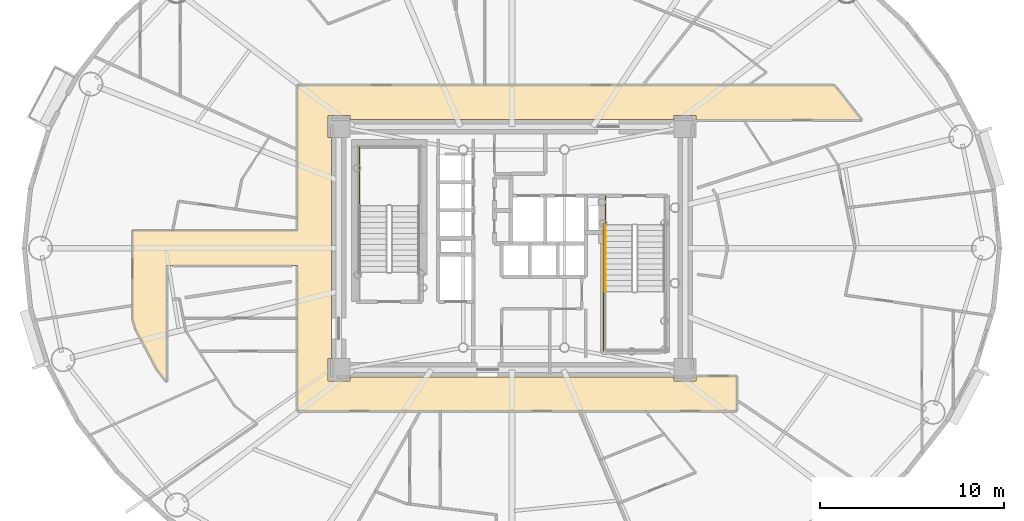
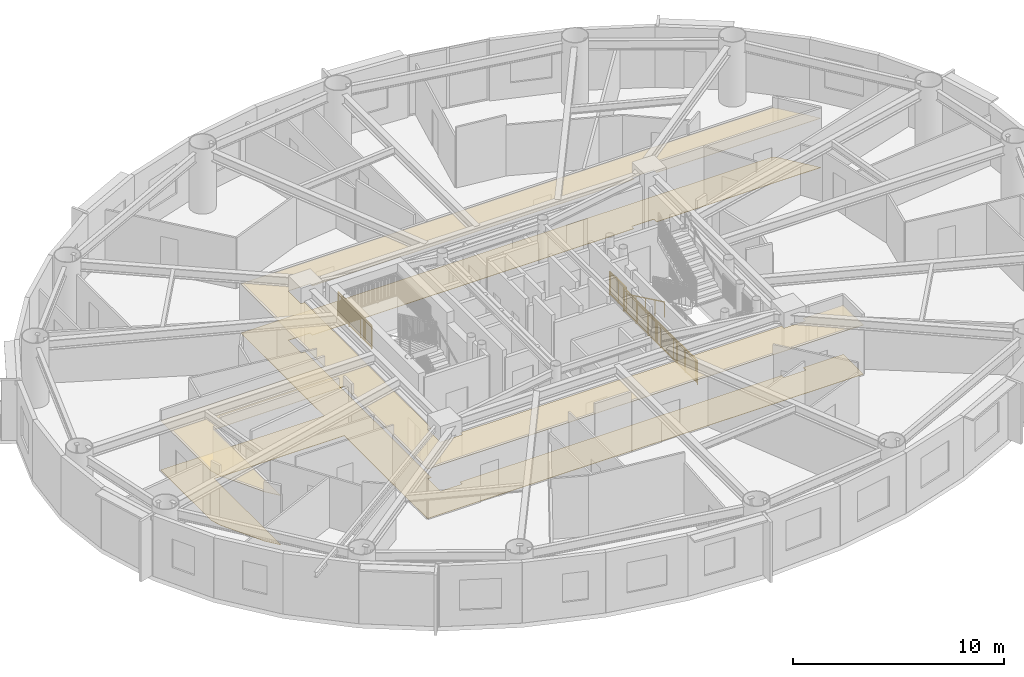
# One storey, part 16 of 20: 4 railings, 2 coverings.
"""IFC4 building model written with IfcOpenShell, lengths in metres."""

from ifc_helpers import new_model, si_unit, direction, frame, origin, origin_2d, place, context, subcontext, project, spatial, polyline, rectangle, outline, extrude, source, transform, mapped, material, layer, layer_set, type_object, element, save


model = new_model("IFC4")

# Units and contexts
model_context = context("Model", 3, precision=1e-05, world=origin(), true_north=direction((0.0, 1.0)))
body_context = subcontext(model_context, "Body", "Model", "MODEL_VIEW")
ifc_project = project(units=[si_unit("LENGTHUNIT", "METRE"), si_unit("AREAUNIT", "SQUARE_METRE"), si_unit("VOLUMEUNIT", "CUBIC_METRE"), si_unit("PLANEANGLEUNIT", "RADIAN"), si_unit("MASSUNIT", "GRAM", prefix="KILO")], contexts=[model_context])

# Site, building, storey
site_placement = place(None, origin())
site = spatial("IfcSite", under=ifc_project, at=site_placement, CompositionType="ELEMENT")
building_placement = place(site_placement, origin())
building = spatial("IfcBuilding", under=site, at=building_placement, Name="Linh Dai School and Residence Tower", CompositionType="ELEMENT")
storey_placement = place(building_placement, frame((0.0, 0.0, 163.64990234375)))
storey = spatial("IfcBuildingStorey", under=building, at=storey_placement, Name="L39", CompositionType="ELEMENT", Elevation=163.64990234375)

# Coverings
ifc_material_1 = material(Name="Mineral Fibre Acoustic Suspended Ceiling", Category="masonry")
ifc_layer_1 = layer(ifc_material_1, 0.02001953125)
ifc_layer_set_1 = layer_set([ifc_layer_1], Name="Mineral Fibre Acoustic Suspended Ceiling")
covering_type_1 = type_object("IfcCoveringType", Name="COV-CEIL-AC-20", PredefinedType="CEILING", material=ifc_layer_set_1)
covering_1_placement = place(storey_placement, frame((0.0, 0.0, 2.85009765625)))
element("IfcCovering", 1, at=covering_1_placement, inside=storey, type_object=covering_type_1, Name="L39 Residential Floor Corridor Suspended Ceiling", PredefinedType="CEILING", context=body_context, shape_type="SweptSolid", body=[
    extrude(outline(polyline([(17.25, 19.734375), (16.720458984375, 20.410888671875), (15.57421875, 22.577880859375), (15.39990234375, 23.14599609375), (15.39990234375, 27.949951171875), (24.35009765625, 27.949951171875), (24.35009765625, 35.85009765625), (53.453857421875, 35.85009765625), (53.6533203125, 35.6669921875), (54.9970703125, 33.949951171875), (46.0, 33.949951171875), (46.0, 34.199951171875), (44.800048828125, 34.199951171875), (44.800048828125, 34.0), (27.199951171875, 34.0), (27.199951171875, 34.199951171875), (26.0, 34.199951171875), (26.0, 33.0), (26.199951171875, 33.0), (26.199951171875, 21.0), (26.0, 21.0), (26.0, 19.800048828125), (27.199951171875, 19.800048828125), (27.199951171875, 20.0), (44.800048828125, 20.0), (44.800048828125, 19.800048828125), (46.0, 19.800048828125), (46.0, 20.050048828125), (48.199951171875, 20.050048828125), (48.199951171875, 18.14990234375), (24.35009765625, 18.14990234375), (24.35009765625, 26.050048828125), (17.25, 26.050048828125), (17.25, 19.734375)])), origin(), (0.0, 0.0, 1.0), 0.02001953125),
])
ifc_material_2 = material(Name="Polished Terrazzo Floor Finish", Category="masonry")
ifc_layer_2 = layer(ifc_material_2, 0.02490234375)
ifc_layer_set_2 = layer_set([ifc_layer_2], Name="Polished Terrazzo Floor Finish")
covering_type_2 = type_object("IfcCoveringType", Name="COV-FLR-TRZ-25", PredefinedType="FLOORING", material=ifc_layer_set_2)
covering_2_placement = place(storey_placement, origin())
element("IfcCovering", 2, at=covering_2_placement, inside=storey, type_object=covering_type_2, Name="L39 Residential Floor Corridor Floor Finish", PredefinedType="FLOORING", context=body_context, shape_type="SweptSolid", body=[
    extrude(outline(polyline([(17.25, 19.734375), (16.720458984375, 20.410888671875), (15.57421875, 22.577880859375), (15.39990234375, 23.14599609375), (15.39990234375, 27.949951171875), (24.35009765625, 27.949951171875), (24.35009765625, 35.85009765625), (53.453857421875, 35.85009765625), (53.6533203125, 35.6669921875), (54.9970703125, 33.949951171875), (46.0, 33.949951171875), (46.0, 34.199951171875), (44.800048828125, 34.199951171875), (44.800048828125, 34.0), (27.199951171875, 34.0), (27.199951171875, 34.199951171875), (26.0, 34.199951171875), (26.0, 33.0), (26.199951171875, 33.0), (26.199951171875, 21.0), (26.0, 21.0), (26.0, 19.800048828125), (27.199951171875, 19.800048828125), (27.199951171875, 20.0), (44.800048828125, 20.0), (44.800048828125, 19.800048828125), (46.0, 19.800048828125), (46.0, 20.050048828125), (48.199951171875, 20.050048828125), (48.199951171875, 18.14990234375), (24.35009765625, 18.14990234375), (24.35009765625, 26.050048828125), (17.25, 26.050048828125), (17.25, 19.734375)])), origin(), (0.0, 0.0, 1.0), 0.02001953125),
])

# Railings
ifc_material_3 = material(Name="Structural Steel S355JR", Category="steel")
railing_type_1 = type_object("IfcRailingType", Name="RL-ST-GUARD-1400", PredefinedType="GUARDRAIL", material=ifc_material_3)
shared_shape_1 = source(origin(), body_context, "Body", "SweptSolid", [
    extrude(rectangle(XDim=0.048095703125, YDim=0.048095703125, at=origin_2d()), frame((0.0, 0.0, 1.3759765625), z_axis=(0.0, 1.0, 0.0), x_axis=(-1.0, 0.0, 0.0)), (0.0, 0.0, 1.0), 3.199951171875),
    extrude(rectangle(XDim=0.048095703125, YDim=0.048095703125, at=origin_2d()), frame((0.0, 0.0, 0.10009765625), z_axis=(0.0, 1.0, 0.0), x_axis=(-1.0, 0.0, 0.0)), (0.0, 0.0, 1.0), 3.199951171875),
    extrude(rectangle(XDim=0.030029296875, YDim=0.030029296875, at=origin_2d()), frame((0.0, 0.0, 1.239990234375), z_axis=(0.0, 1.0, 0.0), x_axis=(-1.0, 0.0, 0.0)), (0.0, 0.0, 1.0), 3.199951171875),
    extrude(rectangle(XDim=0.02001953125, YDim=0.02001953125, at=origin_2d()), frame((0.0, 0.096923828125, 0.10009765625)), (0.0, 0.0, 1.0), 1.251708984375),
    extrude(rectangle(XDim=0.02001953125, YDim=0.02001953125, at=origin_2d()), frame((0.0, 0.19384765625, 0.10009765625)), (0.0, 0.0, 1.0), 1.251708984375),
    extrude(rectangle(XDim=0.02001953125, YDim=0.02001953125, at=origin_2d()), frame((0.0, 0.291015625, 0.10009765625)), (0.0, 0.0, 1.0), 1.251708984375),
    extrude(rectangle(XDim=0.02001953125, YDim=0.02001953125, at=origin_2d()), frame((0.0, 0.387939453125, 0.10009765625)), (0.0, 0.0, 1.0), 1.251708984375),
    extrude(rectangle(XDim=0.02001953125, YDim=0.02001953125, at=origin_2d()), frame((0.0, 0.48486328125, 0.10009765625)), (0.0, 0.0, 1.0), 1.251708984375),
    extrude(rectangle(XDim=0.02001953125, YDim=0.02001953125, at=origin_2d()), frame((0.0, 0.581787109375, 0.10009765625)), (0.0, 0.0, 1.0), 1.251708984375),
    extrude(rectangle(XDim=0.02001953125, YDim=0.02001953125, at=origin_2d()), frame((0.0, 0.6787109375, 0.10009765625)), (0.0, 0.0, 1.0), 1.251708984375),
    extrude(rectangle(XDim=0.02001953125, YDim=0.02001953125, at=origin_2d()), frame((0.0, 0.775634765625, 0.10009765625)), (0.0, 0.0, 1.0), 1.251708984375),
    extrude(rectangle(XDim=0.02001953125, YDim=0.02001953125, at=origin_2d()), frame((0.0, 0.872802734375, 0.10009765625)), (0.0, 0.0, 1.0), 1.251708984375),
    extrude(rectangle(XDim=0.02001953125, YDim=0.02001953125, at=origin_2d()), frame((0.0, 0.9697265625, 0.10009765625)), (0.0, 0.0, 1.0), 1.251708984375),
    extrude(rectangle(XDim=0.02001953125, YDim=0.02001953125, at=origin_2d()), frame((0.0, 1.16357421875, 0.10009765625)), (0.0, 0.0, 1.0), 1.251708984375),
    extrude(rectangle(XDim=0.02001953125, YDim=0.02001953125, at=origin_2d()), frame((0.0, 1.260498046875, 0.10009765625)), (0.0, 0.0, 1.0), 1.251708984375),
    extrude(rectangle(XDim=0.02001953125, YDim=0.02001953125, at=origin_2d()), frame((0.0, 1.357666015625, 0.10009765625)), (0.0, 0.0, 1.0), 1.251708984375),
    extrude(rectangle(XDim=0.02001953125, YDim=0.02001953125, at=origin_2d()), frame((0.0, 1.45458984375, 0.10009765625)), (0.0, 0.0, 1.0), 1.251708984375),
    extrude(rectangle(XDim=0.02001953125, YDim=0.02001953125, at=origin_2d()), frame((0.0, 1.551513671875, 0.10009765625)), (0.0, 0.0, 1.0), 1.251708984375),
    extrude(rectangle(XDim=0.02001953125, YDim=0.02001953125, at=origin_2d()), frame((0.0, 1.6484375, 0.10009765625)), (0.0, 0.0, 1.0), 1.251708984375),
    extrude(rectangle(XDim=0.02001953125, YDim=0.02001953125, at=origin_2d()), frame((0.0, 1.745361328125, 0.10009765625)), (0.0, 0.0, 1.0), 1.251708984375),
    extrude(rectangle(XDim=0.02001953125, YDim=0.02001953125, at=origin_2d()), frame((0.0, 1.84228515625, 0.10009765625)), (0.0, 0.0, 1.0), 1.251708984375),
    extrude(rectangle(XDim=0.02001953125, YDim=0.02001953125, at=origin_2d()), frame((0.0, 1.939453125, 0.10009765625)), (0.0, 0.0, 1.0), 1.251708984375),
    extrude(rectangle(XDim=0.02001953125, YDim=0.02001953125, at=origin_2d()), frame((0.0, 2.036376953125, 0.10009765625)), (0.0, 0.0, 1.0), 1.251708984375),
    extrude(rectangle(XDim=0.02001953125, YDim=0.02001953125, at=origin_2d()), frame((0.0, 2.230224609375, 0.10009765625)), (0.0, 0.0, 1.0), 1.251708984375),
    extrude(rectangle(XDim=0.02001953125, YDim=0.02001953125, at=origin_2d()), frame((0.0, 2.3271484375, 0.10009765625)), (0.0, 0.0, 1.0), 1.251708984375),
    extrude(rectangle(XDim=0.02001953125, YDim=0.02001953125, at=origin_2d()), frame((0.0, 2.42431640625, 0.10009765625)), (0.0, 0.0, 1.0), 1.251708984375),
    extrude(rectangle(XDim=0.02001953125, YDim=0.02001953125, at=origin_2d()), frame((0.0, 2.521240234375, 0.10009765625)), (0.0, 0.0, 1.0), 1.251708984375),
    extrude(rectangle(XDim=0.02001953125, YDim=0.02001953125, at=origin_2d()), frame((0.0, 2.6181640625, 0.10009765625)), (0.0, 0.0, 1.0), 1.251708984375),
    extrude(rectangle(XDim=0.02001953125, YDim=0.02001953125, at=origin_2d()), frame((0.0, 2.715087890625, 0.10009765625)), (0.0, 0.0, 1.0), 1.251708984375),
    extrude(rectangle(XDim=0.02001953125, YDim=0.02001953125, at=origin_2d()), frame((0.0, 2.81201171875, 0.10009765625)), (0.0, 0.0, 1.0), 1.251708984375),
    extrude(rectangle(XDim=0.02001953125, YDim=0.02001953125, at=origin_2d()), frame((0.0, 2.908935546875, 0.10009765625)), (0.0, 0.0, 1.0), 1.251708984375),
    extrude(rectangle(XDim=0.02001953125, YDim=0.02001953125, at=origin_2d()), frame((0.0, 3.006103515625, 0.10009765625)), (0.0, 0.0, 1.0), 1.251708984375),
    extrude(rectangle(XDim=0.02001953125, YDim=0.02001953125, at=origin_2d()), frame((0.0, 3.10302734375, 0.10009765625)), (0.0, 0.0, 1.0), 1.251708984375),
    extrude(rectangle(XDim=0.0419921875, YDim=0.0419921875, at=origin_2d()), origin(), (0.0, 0.0, 1.0), 1.3759765625),
    extrude(rectangle(XDim=0.0419921875, YDim=0.0419921875, at=origin_2d()), frame((0.0, 1.066650390625, 0.0)), (0.0, 0.0, 1.0), 1.3759765625),
    extrude(rectangle(XDim=0.0419921875, YDim=0.0419921875, at=origin_2d()), frame((0.0, 2.13330078125, 0.0)), (0.0, 0.0, 1.0), 1.3759765625),
    extrude(rectangle(XDim=0.0419921875, YDim=0.0419921875, at=origin_2d()), frame((0.0, 3.199951171875, 0.0)), (0.0, 0.0, 1.0), 1.3759765625),
])
railing_1_placement = place(storey_placement, frame((27.72998046875, 29.300048828125, 1.875)))
element("IfcRailing", 3, at=railing_1_placement, inside=storey, type_object=railing_type_1, Name="L39 ST1 stair guard 4", PredefinedType="GUARDRAIL", context=body_context, shape_type="MappedRepresentation", body=[
    mapped(shared_shape_1, transform((0.0, 0.0, 0.0), x_axis=(1.0, 0.0, 0.0), y_axis=(0.0, 1.0, 0.0), z_axis=(0.0, 0.0, 1.0), scale=1.0)),
])
ifc_material_4 = material(Name="Brushed Stainless Steel Handrail", Category="steel")
railing_type_2 = type_object("IfcRailingType", Name="RL-ST-HANDRAIL-900", PredefinedType="HANDRAIL", material=ifc_material_4)
shared_shape_2 = source(origin(), body_context, "Body", "SweptSolid", [
    extrude(rectangle(XDim=0.048095703125, YDim=0.048095703125, at=origin_2d()), frame((0.0, 0.0, 0.8759765625), z_axis=(0.0, -0.901262522062, 0.433273431364), x_axis=(1.0, 0.0, 0.0)), (0.0, 0.0, 1.0), 3.994384765625),
    extrude(rectangle(XDim=0.0419921875, YDim=0.0419921875, at=origin_2d()), origin(), (0.0, 0.0, 1.0), 0.8759765625),
    extrude(rectangle(XDim=0.0419921875, YDim=0.0419921875, at=origin_2d()), frame((0.0, -0.89990234375, 0.4326171875)), (0.0, 0.0, 1.0), 0.8759765625),
    extrude(rectangle(XDim=0.0419921875, YDim=0.0419921875, at=origin_2d()), frame((0.0, -1.800048828125, 0.865234375)), (0.0, 0.0, 1.0), 0.8759765625),
    extrude(rectangle(XDim=0.0419921875, YDim=0.0419921875, at=origin_2d()), frame((0.0, -2.7001953125, 1.298095703125)), (0.0, 0.0, 1.0), 0.8759765625),
    extrude(rectangle(XDim=0.0419921875, YDim=0.0419921875, at=origin_2d()), frame((0.0, -3.60009765625, 1.730712890625)), (0.0, 0.0, 1.0), 0.8759765625),
])
railing_2_placement = place(storey_placement, frame((41.070068359375, 28.25, 0.144287109375)))
element("IfcRailing", 4, at=railing_2_placement, inside=storey, type_object=railing_type_2, Name="L39 ST2 stair handrail 1", PredefinedType="HANDRAIL", context=body_context, shape_type="MappedRepresentation", body=[
    mapped(shared_shape_2, transform((0.0, 0.0, 0.0), x_axis=(1.0, 0.0, 0.0), y_axis=(0.0, 1.0, 0.0), z_axis=(0.0, 0.0, 1.0), scale=1.0)),
])
shared_shape_3 = source(origin(), body_context, "Body", "SweptSolid", [
    extrude(rectangle(XDim=0.048095703125, YDim=0.048095703125, at=origin_2d()), frame((0.0, 0.0, 1.3759765625), z_axis=(0.0, -1.0, 0.0), x_axis=(1.0, 0.0, 0.0)), (0.0, 0.0, 1.0), 1.60009765625),
    extrude(rectangle(XDim=0.048095703125, YDim=0.048095703125, at=origin_2d()), frame((0.0, 0.0, 0.10009765625), z_axis=(0.0, -1.0, 0.0), x_axis=(1.0, 0.0, 0.0)), (0.0, 0.0, 1.0), 1.60009765625),
    extrude(rectangle(XDim=0.030029296875, YDim=0.030029296875, at=origin_2d()), frame((0.0, 0.0, 1.239990234375), z_axis=(0.0, -1.0, 0.0), x_axis=(1.0, 0.0, 0.0)), (0.0, 0.0, 1.0), 1.60009765625),
    extrude(rectangle(XDim=0.02001953125, YDim=0.02001953125, at=origin_2d()), frame((0.0, -0.09423828125, 0.10009765625)), (0.0, 0.0, 1.0), 1.251708984375),
    extrude(rectangle(XDim=0.02001953125, YDim=0.02001953125, at=origin_2d()), frame((0.0, -0.188232421875, 0.10009765625)), (0.0, 0.0, 1.0), 1.251708984375),
    extrude(rectangle(XDim=0.02001953125, YDim=0.02001953125, at=origin_2d()), frame((0.0, -0.282470703125, 0.10009765625)), (0.0, 0.0, 1.0), 1.251708984375),
    extrude(rectangle(XDim=0.02001953125, YDim=0.02001953125, at=origin_2d()), frame((0.0, -0.37646484375, 0.10009765625)), (0.0, 0.0, 1.0), 1.251708984375),
    extrude(rectangle(XDim=0.02001953125, YDim=0.02001953125, at=origin_2d()), frame((0.0, -0.470703125, 0.10009765625)), (0.0, 0.0, 1.0), 1.251708984375),
    extrude(rectangle(XDim=0.02001953125, YDim=0.02001953125, at=origin_2d()), frame((0.0, -0.564697265625, 0.10009765625)), (0.0, 0.0, 1.0), 1.251708984375),
    extrude(rectangle(XDim=0.02001953125, YDim=0.02001953125, at=origin_2d()), frame((0.0, -0.658935546875, 0.10009765625)), (0.0, 0.0, 1.0), 1.251708984375),
    extrude(rectangle(XDim=0.02001953125, YDim=0.02001953125, at=origin_2d()), frame((0.0, -0.7529296875, 0.10009765625)), (0.0, 0.0, 1.0), 1.251708984375),
    extrude(rectangle(XDim=0.02001953125, YDim=0.02001953125, at=origin_2d()), frame((0.0, -0.84716796875, 0.10009765625)), (0.0, 0.0, 1.0), 1.251708984375),
    extrude(rectangle(XDim=0.02001953125, YDim=0.02001953125, at=origin_2d()), frame((0.0, -0.941162109375, 0.10009765625)), (0.0, 0.0, 1.0), 1.251708984375),
    extrude(rectangle(XDim=0.02001953125, YDim=0.02001953125, at=origin_2d()), frame((0.0, -1.035400390625, 0.10009765625)), (0.0, 0.0, 1.0), 1.251708984375),
    extrude(rectangle(XDim=0.02001953125, YDim=0.02001953125, at=origin_2d()), frame((0.0, -1.12939453125, 0.10009765625)), (0.0, 0.0, 1.0), 1.251708984375),
    extrude(rectangle(XDim=0.02001953125, YDim=0.02001953125, at=origin_2d()), frame((0.0, -1.2236328125, 0.10009765625)), (0.0, 0.0, 1.0), 1.251708984375),
    extrude(rectangle(XDim=0.02001953125, YDim=0.02001953125, at=origin_2d()), frame((0.0, -1.317626953125, 0.10009765625)), (0.0, 0.0, 1.0), 1.251708984375),
    extrude(rectangle(XDim=0.02001953125, YDim=0.02001953125, at=origin_2d()), frame((0.0, -1.411865234375, 0.10009765625)), (0.0, 0.0, 1.0), 1.251708984375),
    extrude(rectangle(XDim=0.02001953125, YDim=0.02001953125, at=origin_2d()), frame((0.0, -1.505859375, 0.10009765625)), (0.0, 0.0, 1.0), 1.251708984375),
    extrude(rectangle(XDim=0.0419921875, YDim=0.0419921875, at=origin_2d()), origin(), (0.0, 0.0, 1.0), 1.3759765625),
    extrude(rectangle(XDim=0.0419921875, YDim=0.0419921875, at=origin_2d()), frame((0.0, -0.800048828125, 0.0)), (0.0, 0.0, 1.0), 1.3759765625),
    extrude(rectangle(XDim=0.0419921875, YDim=0.0419921875, at=origin_2d()), frame((0.0, -1.60009765625, 0.0)), (0.0, 0.0, 1.0), 1.3759765625),
])
railing_3_placement = place(storey_placement, frame((41.070068359375, 29.85009765625, 0.0)))
element("IfcRailing", 5, at=railing_3_placement, inside=storey, type_object=railing_type_1, Name="L39 ST2 stair guard 8", PredefinedType="GUARDRAIL", context=body_context, shape_type="MappedRepresentation", body=[
    mapped(shared_shape_3, transform((0.0, 0.0, 0.0), x_axis=(1.0, 0.0, 0.0), y_axis=(0.0, 1.0, 0.0), z_axis=(0.0, 0.0, 1.0), scale=1.0)),
])
shared_shape_4 = source(origin(), body_context, "Body", "SweptSolid", [
    extrude(rectangle(XDim=0.048095703125, YDim=0.048095703125, at=origin_2d()), frame((0.0, 0.0, 1.3759765625), z_axis=(0.0, -1.0, 0.0), x_axis=(1.0, 0.0, 0.0)), (0.0, 0.0, 1.0), 7.0),
    extrude(rectangle(XDim=0.048095703125, YDim=0.048095703125, at=origin_2d()), frame((0.0, 0.0, 0.10009765625), z_axis=(0.0, -1.0, 0.0), x_axis=(1.0, 0.0, 0.0)), (0.0, 0.0, 1.0), 7.0),
    extrude(rectangle(XDim=0.030029296875, YDim=0.030029296875, at=origin_2d()), frame((0.0, 0.0, 1.239990234375), z_axis=(0.0, -1.0, 0.0), x_axis=(1.0, 0.0, 0.0)), (0.0, 0.0, 1.0), 7.0),
    extrude(rectangle(XDim=0.02001953125, YDim=0.02001953125, at=origin_2d()), frame((0.0, -0.09716796875, 0.10009765625)), (0.0, 0.0, 1.0), 1.251708984375),
    extrude(rectangle(XDim=0.02001953125, YDim=0.02001953125, at=origin_2d()), frame((0.0, -0.1943359375, 0.10009765625)), (0.0, 0.0, 1.0), 1.251708984375),
    extrude(rectangle(XDim=0.02001953125, YDim=0.02001953125, at=origin_2d()), frame((0.0, -0.291748046875, 0.10009765625)), (0.0, 0.0, 1.0), 1.251708984375),
    extrude(rectangle(XDim=0.02001953125, YDim=0.02001953125, at=origin_2d()), frame((0.0, -0.388916015625, 0.10009765625)), (0.0, 0.0, 1.0), 1.251708984375),
    extrude(rectangle(XDim=0.02001953125, YDim=0.02001953125, at=origin_2d()), frame((0.0, -0.486083984375, 0.10009765625)), (0.0, 0.0, 1.0), 1.251708984375),
    extrude(rectangle(XDim=0.02001953125, YDim=0.02001953125, at=origin_2d()), frame((0.0, -0.583251953125, 0.10009765625)), (0.0, 0.0, 1.0), 1.251708984375),
    extrude(rectangle(XDim=0.02001953125, YDim=0.02001953125, at=origin_2d()), frame((0.0, -0.6806640625, 0.10009765625)), (0.0, 0.0, 1.0), 1.251708984375),
    extrude(rectangle(XDim=0.02001953125, YDim=0.02001953125, at=origin_2d()), frame((0.0, -0.77783203125, 0.10009765625)), (0.0, 0.0, 1.0), 1.251708984375),
    extrude(rectangle(XDim=0.02001953125, YDim=0.02001953125, at=origin_2d()), frame((0.0, -0.875, 0.10009765625)), (0.0, 0.0, 1.0), 1.251708984375),
    extrude(rectangle(XDim=0.02001953125, YDim=0.02001953125, at=origin_2d()), frame((0.0, -0.97216796875, 0.10009765625)), (0.0, 0.0, 1.0), 1.251708984375),
    extrude(rectangle(XDim=0.02001953125, YDim=0.02001953125, at=origin_2d()), frame((0.0, -1.0693359375, 0.10009765625)), (0.0, 0.0, 1.0), 1.251708984375),
    extrude(rectangle(XDim=0.02001953125, YDim=0.02001953125, at=origin_2d()), frame((0.0, -1.263916015625, 0.10009765625)), (0.0, 0.0, 1.0), 1.251708984375),
    extrude(rectangle(XDim=0.02001953125, YDim=0.02001953125, at=origin_2d()), frame((0.0, -1.361083984375, 0.10009765625)), (0.0, 0.0, 1.0), 1.251708984375),
    extrude(rectangle(XDim=0.02001953125, YDim=0.02001953125, at=origin_2d()), frame((0.0, -1.458251953125, 0.10009765625)), (0.0, 0.0, 1.0), 1.251708984375),
    extrude(rectangle(XDim=0.02001953125, YDim=0.02001953125, at=origin_2d()), frame((0.0, -1.5556640625, 0.10009765625)), (0.0, 0.0, 1.0), 1.251708984375),
    extrude(rectangle(XDim=0.02001953125, YDim=0.02001953125, at=origin_2d()), frame((0.0, -1.65283203125, 0.10009765625)), (0.0, 0.0, 1.0), 1.251708984375),
    extrude(rectangle(XDim=0.02001953125, YDim=0.02001953125, at=origin_2d()), frame((0.0, -1.75, 0.10009765625)), (0.0, 0.0, 1.0), 1.251708984375),
    extrude(rectangle(XDim=0.02001953125, YDim=0.02001953125, at=origin_2d()), frame((0.0, -1.84716796875, 0.10009765625)), (0.0, 0.0, 1.0), 1.251708984375),
    extrude(rectangle(XDim=0.02001953125, YDim=0.02001953125, at=origin_2d()), frame((0.0, -1.9443359375, 0.10009765625)), (0.0, 0.0, 1.0), 1.251708984375),
    extrude(rectangle(XDim=0.02001953125, YDim=0.02001953125, at=origin_2d()), frame((0.0, -2.041748046875, 0.10009765625)), (0.0, 0.0, 1.0), 1.251708984375),
    extrude(rectangle(XDim=0.02001953125, YDim=0.02001953125, at=origin_2d()), frame((0.0, -2.138916015625, 0.10009765625)), (0.0, 0.0, 1.0), 1.251708984375),
    extrude(rectangle(XDim=0.02001953125, YDim=0.02001953125, at=origin_2d()), frame((0.0, -2.236083984375, 0.10009765625)), (0.0, 0.0, 1.0), 1.251708984375),
    extrude(rectangle(XDim=0.02001953125, YDim=0.02001953125, at=origin_2d()), frame((0.0, -2.4306640625, 0.10009765625)), (0.0, 0.0, 1.0), 1.251708984375),
    extrude(rectangle(XDim=0.02001953125, YDim=0.02001953125, at=origin_2d()), frame((0.0, -2.52783203125, 0.10009765625)), (0.0, 0.0, 1.0), 1.251708984375),
    extrude(rectangle(XDim=0.02001953125, YDim=0.02001953125, at=origin_2d()), frame((0.0, -2.625, 0.10009765625)), (0.0, 0.0, 1.0), 1.251708984375),
    extrude(rectangle(XDim=0.02001953125, YDim=0.02001953125, at=origin_2d()), frame((0.0, -2.72216796875, 0.10009765625)), (0.0, 0.0, 1.0), 1.251708984375),
    extrude(rectangle(XDim=0.02001953125, YDim=0.02001953125, at=origin_2d()), frame((0.0, -2.8193359375, 0.10009765625)), (0.0, 0.0, 1.0), 1.251708984375),
    extrude(rectangle(XDim=0.02001953125, YDim=0.02001953125, at=origin_2d()), frame((0.0, -2.916748046875, 0.10009765625)), (0.0, 0.0, 1.0), 1.251708984375),
    extrude(rectangle(XDim=0.02001953125, YDim=0.02001953125, at=origin_2d()), frame((0.0, -3.013916015625, 0.10009765625)), (0.0, 0.0, 1.0), 1.251708984375),
    extrude(rectangle(XDim=0.02001953125, YDim=0.02001953125, at=origin_2d()), frame((0.0, -3.111083984375, 0.10009765625)), (0.0, 0.0, 1.0), 1.251708984375),
    extrude(rectangle(XDim=0.02001953125, YDim=0.02001953125, at=origin_2d()), frame((0.0, -3.208251953125, 0.10009765625)), (0.0, 0.0, 1.0), 1.251708984375),
    extrude(rectangle(XDim=0.02001953125, YDim=0.02001953125, at=origin_2d()), frame((0.0, -3.3056640625, 0.10009765625)), (0.0, 0.0, 1.0), 1.251708984375),
    extrude(rectangle(XDim=0.02001953125, YDim=0.02001953125, at=origin_2d()), frame((0.0, -3.40283203125, 0.10009765625)), (0.0, 0.0, 1.0), 1.251708984375),
    extrude(rectangle(XDim=0.02001953125, YDim=0.02001953125, at=origin_2d()), frame((0.0, -3.59716796875, 0.10009765625)), (0.0, 0.0, 1.0), 1.251708984375),
    extrude(rectangle(XDim=0.02001953125, YDim=0.02001953125, at=origin_2d()), frame((0.0, -3.6943359375, 0.10009765625)), (0.0, 0.0, 1.0), 1.251708984375),
    extrude(rectangle(XDim=0.02001953125, YDim=0.02001953125, at=origin_2d()), frame((0.0, -3.791748046875, 0.10009765625)), (0.0, 0.0, 1.0), 1.251708984375),
    extrude(rectangle(XDim=0.02001953125, YDim=0.02001953125, at=origin_2d()), frame((0.0, -3.888916015625, 0.10009765625)), (0.0, 0.0, 1.0), 1.251708984375),
    extrude(rectangle(XDim=0.02001953125, YDim=0.02001953125, at=origin_2d()), frame((0.0, -3.986083984375, 0.10009765625)), (0.0, 0.0, 1.0), 1.251708984375),
    extrude(rectangle(XDim=0.02001953125, YDim=0.02001953125, at=origin_2d()), frame((0.0, -4.083251953125, 0.10009765625)), (0.0, 0.0, 1.0), 1.251708984375),
    extrude(rectangle(XDim=0.02001953125, YDim=0.02001953125, at=origin_2d()), frame((0.0, -4.1806640625, 0.10009765625)), (0.0, 0.0, 1.0), 1.251708984375),
    extrude(rectangle(XDim=0.02001953125, YDim=0.02001953125, at=origin_2d()), frame((0.0, -4.27783203125, 0.10009765625)), (0.0, 0.0, 1.0), 1.251708984375),
    extrude(rectangle(XDim=0.02001953125, YDim=0.02001953125, at=origin_2d()), frame((0.0, -4.375, 0.10009765625)), (0.0, 0.0, 1.0), 1.251708984375),
    extrude(rectangle(XDim=0.02001953125, YDim=0.02001953125, at=origin_2d()), frame((0.0, -4.47216796875, 0.10009765625)), (0.0, 0.0, 1.0), 1.251708984375),
    extrude(rectangle(XDim=0.02001953125, YDim=0.02001953125, at=origin_2d()), frame((0.0, -4.5693359375, 0.10009765625)), (0.0, 0.0, 1.0), 1.251708984375),
    extrude(rectangle(XDim=0.02001953125, YDim=0.02001953125, at=origin_2d()), frame((0.0, -4.763916015625, 0.10009765625)), (0.0, 0.0, 1.0), 1.251708984375),
    extrude(rectangle(XDim=0.02001953125, YDim=0.02001953125, at=origin_2d()), frame((0.0, -4.861083984375, 0.10009765625)), (0.0, 0.0, 1.0), 1.251708984375),
    extrude(rectangle(XDim=0.02001953125, YDim=0.02001953125, at=origin_2d()), frame((0.0, -4.958251953125, 0.10009765625)), (0.0, 0.0, 1.0), 1.251708984375),
    extrude(rectangle(XDim=0.02001953125, YDim=0.02001953125, at=origin_2d()), frame((0.0, -5.0556640625, 0.10009765625)), (0.0, 0.0, 1.0), 1.251708984375),
    extrude(rectangle(XDim=0.02001953125, YDim=0.02001953125, at=origin_2d()), frame((0.0, -5.15283203125, 0.10009765625)), (0.0, 0.0, 1.0), 1.251708984375),
    extrude(rectangle(XDim=0.02001953125, YDim=0.02001953125, at=origin_2d()), frame((0.0, -5.25, 0.10009765625)), (0.0, 0.0, 1.0), 1.251708984375),
    extrude(rectangle(XDim=0.02001953125, YDim=0.02001953125, at=origin_2d()), frame((0.0, -5.34716796875, 0.10009765625)), (0.0, 0.0, 1.0), 1.251708984375),
    extrude(rectangle(XDim=0.02001953125, YDim=0.02001953125, at=origin_2d()), frame((0.0, -5.4443359375, 0.10009765625)), (0.0, 0.0, 1.0), 1.251708984375),
    extrude(rectangle(XDim=0.02001953125, YDim=0.02001953125, at=origin_2d()), frame((0.0, -5.541748046875, 0.10009765625)), (0.0, 0.0, 1.0), 1.251708984375),
    extrude(rectangle(XDim=0.02001953125, YDim=0.02001953125, at=origin_2d()), frame((0.0, -5.638916015625, 0.10009765625)), (0.0, 0.0, 1.0), 1.251708984375),
    extrude(rectangle(XDim=0.02001953125, YDim=0.02001953125, at=origin_2d()), frame((0.0, -5.736083984375, 0.10009765625)), (0.0, 0.0, 1.0), 1.251708984375),
    extrude(rectangle(XDim=0.02001953125, YDim=0.02001953125, at=origin_2d()), frame((0.0, -5.9306640625, 0.10009765625)), (0.0, 0.0, 1.0), 1.251708984375),
    extrude(rectangle(XDim=0.02001953125, YDim=0.02001953125, at=origin_2d()), frame((0.0, -6.02783203125, 0.10009765625)), (0.0, 0.0, 1.0), 1.251708984375),
    extrude(rectangle(XDim=0.02001953125, YDim=0.02001953125, at=origin_2d()), frame((0.0, -6.125, 0.10009765625)), (0.0, 0.0, 1.0), 1.251708984375),
    extrude(rectangle(XDim=0.02001953125, YDim=0.02001953125, at=origin_2d()), frame((0.0, -6.22216796875, 0.10009765625)), (0.0, 0.0, 1.0), 1.251708984375),
    extrude(rectangle(XDim=0.02001953125, YDim=0.02001953125, at=origin_2d()), frame((0.0, -6.3193359375, 0.10009765625)), (0.0, 0.0, 1.0), 1.251708984375),
    extrude(rectangle(XDim=0.02001953125, YDim=0.02001953125, at=origin_2d()), frame((0.0, -6.416748046875, 0.10009765625)), (0.0, 0.0, 1.0), 1.251708984375),
    extrude(rectangle(XDim=0.02001953125, YDim=0.02001953125, at=origin_2d()), frame((0.0, -6.513916015625, 0.10009765625)), (0.0, 0.0, 1.0), 1.251708984375),
    extrude(rectangle(XDim=0.02001953125, YDim=0.02001953125, at=origin_2d()), frame((0.0, -6.611083984375, 0.10009765625)), (0.0, 0.0, 1.0), 1.251708984375),
    extrude(rectangle(XDim=0.02001953125, YDim=0.02001953125, at=origin_2d()), frame((0.0, -6.708251953125, 0.10009765625)), (0.0, 0.0, 1.0), 1.251708984375),
    extrude(rectangle(XDim=0.02001953125, YDim=0.02001953125, at=origin_2d()), frame((0.0, -6.8056640625, 0.10009765625)), (0.0, 0.0, 1.0), 1.251708984375),
    extrude(rectangle(XDim=0.02001953125, YDim=0.02001953125, at=origin_2d()), frame((0.0, -6.90283203125, 0.10009765625)), (0.0, 0.0, 1.0), 1.251708984375),
    extrude(rectangle(XDim=0.0419921875, YDim=0.0419921875, at=origin_2d()), origin(), (0.0, 0.0, 1.0), 1.3759765625),
    extrude(rectangle(XDim=0.0419921875, YDim=0.0419921875, at=origin_2d()), frame((0.0, -1.166748046875, 0.0)), (0.0, 0.0, 1.0), 1.3759765625),
    extrude(rectangle(XDim=0.0419921875, YDim=0.0419921875, at=origin_2d()), frame((0.0, -2.333251953125, 0.0)), (0.0, 0.0, 1.0), 1.3759765625),
    extrude(rectangle(XDim=0.0419921875, YDim=0.0419921875, at=origin_2d()), frame((0.0, -3.5, 0.0)), (0.0, 0.0, 1.0), 1.3759765625),
    extrude(rectangle(XDim=0.0419921875, YDim=0.0419921875, at=origin_2d()), frame((0.0, -4.666748046875, 0.0)), (0.0, 0.0, 1.0), 1.3759765625),
    extrude(rectangle(XDim=0.0419921875, YDim=0.0419921875, at=origin_2d()), frame((0.0, -5.833251953125, 0.0)), (0.0, 0.0, 1.0), 1.3759765625),
    extrude(rectangle(XDim=0.0419921875, YDim=0.0419921875, at=origin_2d()), frame((0.0, -7.0, 0.0)), (0.0, 0.0, 1.0), 1.3759765625),
])
railing_4_placement = place(storey_placement, frame((40.969970703125, 28.35009765625, 0.0)))
element("IfcRailing", 6, at=railing_4_placement, inside=storey, type_object=railing_type_1, Name="L39 ST2 stair guard 10", PredefinedType="GUARDRAIL", context=body_context, shape_type="MappedRepresentation", body=[
    mapped(shared_shape_4, transform((0.0, 0.0, 0.0), x_axis=(1.0, 0.0, 0.0), y_axis=(0.0, 1.0, 0.0), z_axis=(0.0, 0.0, 1.0), scale=1.0)),
])

save(model, "model.ifc")
